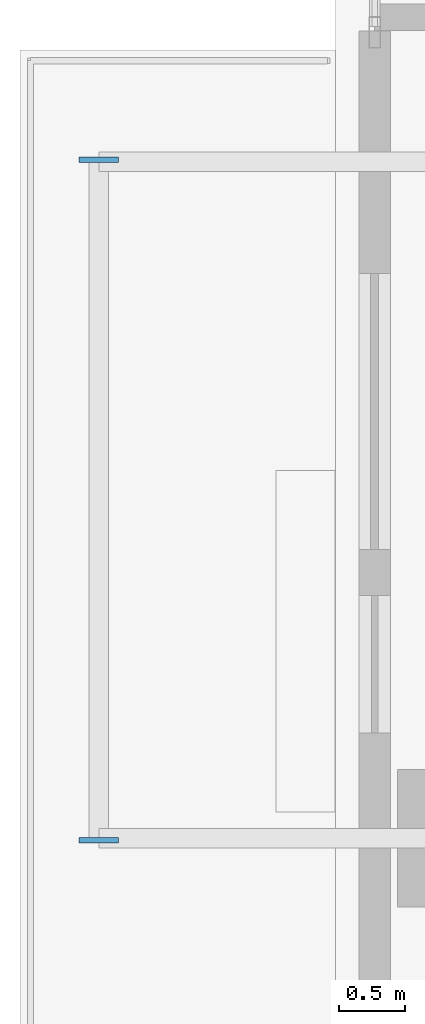
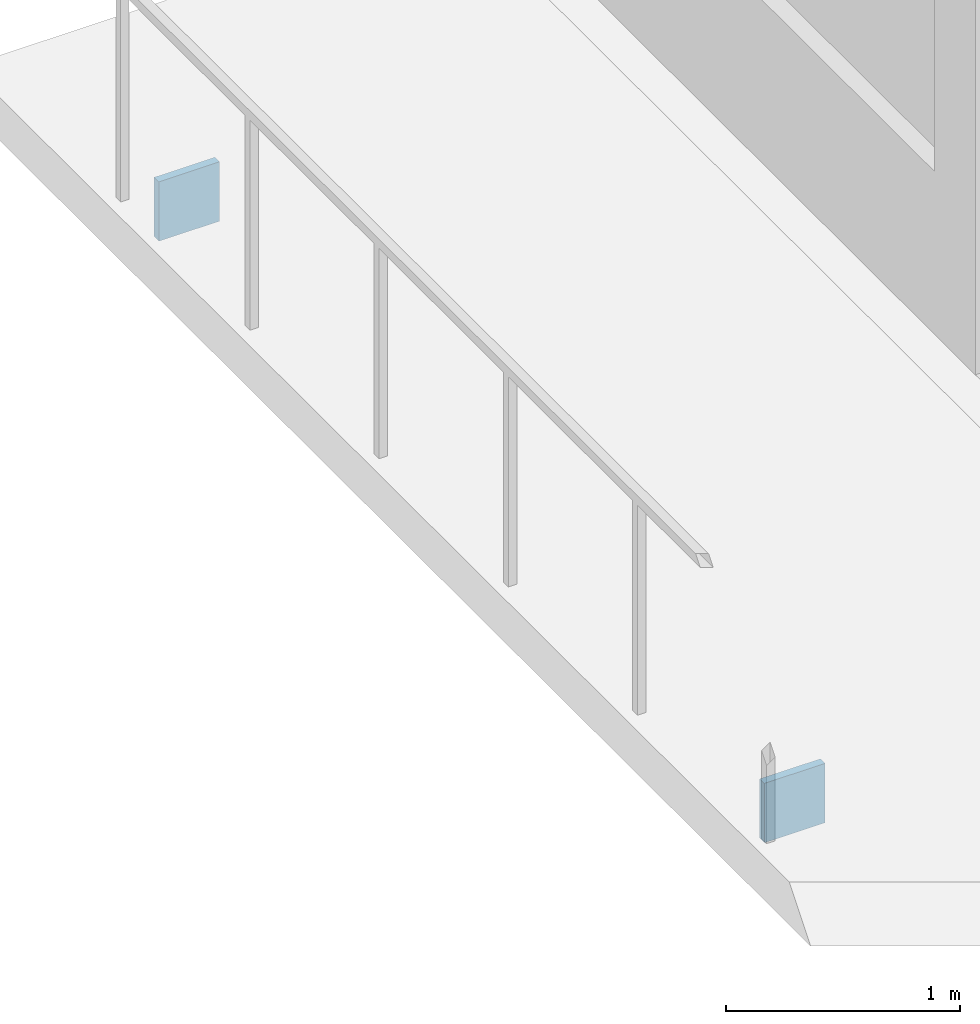
# One storey, part 15 of 22: 2 plates.
"""IFC4 building model written with IfcOpenShell, lengths in metres."""

import ifcopenshell
import ifcopenshell.guid

model = None  # the IFC model being written
_history = None  # IfcOwnerHistory: only IFC2X3 demands one
_inside = {}  # id of a spatial element -> (the spatial element, [elements in it])
_under = {}  # id of a project, library or spatial element -> (it, [spatial elements below it])
_declared = {}  # id of a project -> (the project, [libraries it declares])
_typed = {}  # id of a type object -> (the type object, [elements of that type])
_made_of = {}  # id of a material, layer set ... -> (it, [elements and type objects made of it])


def new_model(schema):
    """Start an empty IFC model of exactly this schema.

    Asked for "IFC4X3", IfcOpenShell would pick the latest addendum, in which some entities
    have other attributes; the version numbers below select the first issue.
    IFC2X3 requires an IfcOwnerHistory on every rooted entity: one is made here for all.
    """
    global model, _history
    if schema == "IFC4X3":
        model = ifcopenshell.file(schema_version=(4, 3, 0, 0))
    else:
        model = ifcopenshell.file(schema=schema)
    _inside.clear()
    _under.clear()
    _declared.clear()
    _typed.clear()
    _made_of.clear()
    _history = None
    if model.schema == "IFC2X3":
        org = make("IfcOrganization", Name="unknown")
        user = make(
            "IfcPersonAndOrganization",
            ThePerson=make("IfcPerson", FamilyName="unknown"),
            TheOrganization=org,
        )
        app = make(
            "IfcApplication",
            ApplicationDeveloper=org,
            Version="unknown",
            ApplicationFullName="unknown",
            ApplicationIdentifier="unknown",
        )
        _history = make(
            "IfcOwnerHistory",
            OwningUser=user,
            OwningApplication=app,
            ChangeAction="ADDED",
            CreationDate=0,
        )
    return model


def make(cls, **values):
    """One entity of the class cls with the attributes given. An attribute that is None is left unset."""
    return model.create_entity(
        cls, **{name: value for name, value in values.items() if value is not None}
    )


def rooted(cls, **values):
    """An entity with a GlobalId (a new one), such as an element, a storey or a relation."""
    return make(cls, GlobalId=ifcopenshell.guid.new(), OwnerHistory=_history, **values)


def si_unit(unit_type, name, prefix=None):
    """IfcSIUnit, for example si_unit("LENGTHUNIT", "METRE", prefix="MILLI")."""
    return make("IfcSIUnit", UnitType=unit_type, Prefix=prefix, Name=name)


def assignment(units):
    """IfcUnitAssignment: the units of a project."""
    return None if units is None else make("IfcUnitAssignment", Units=units)


def point(xyz):
    """IfcCartesianPoint."""
    return None if xyz is None else make("IfcCartesianPoint", Coordinates=xyz)


def direction(xyz):
    """IfcDirection."""
    return None if xyz is None else make("IfcDirection", DirectionRatios=xyz)


def frame(location, z_axis=None, x_axis=None):
    """IfcAxis2Placement3D, a coordinate frame: its origin and axes. An axis left out is left unset."""
    return make(
        "IfcAxis2Placement3D",
        Location=point(location),
        Axis=direction(z_axis),
        RefDirection=direction(x_axis),
    )


def frame_2d(location, x_axis=None):
    """IfcAxis2Placement2D, a coordinate frame in the plane: its origin and x axis."""
    return make(
        "IfcAxis2Placement2D", Location=point(location), RefDirection=direction(x_axis)
    )


def origin():
    """The frame at (0, 0, 0) with its axes left unset."""
    return frame((0.0, 0.0, 0.0))


def origin_2d():
    """The frame at (0, 0) in the plane with its x axis left unset."""
    return frame_2d((0.0, 0.0))


def place(relative_to, where):
    """IfcLocalPlacement: puts the frame where relative to a parent placement (None: the world)."""
    return make(
        "IfcLocalPlacement", PlacementRelTo=relative_to, RelativePlacement=where
    )


def context(
    kind, dimensions, precision=None, world=None, true_north=None, identifier=None
):
    """IfcGeometricRepresentationContext, for example the 3D "Model" context."""
    return make(
        "IfcGeometricRepresentationContext",
        ContextIdentifier=identifier,
        ContextType=kind,
        CoordinateSpaceDimension=dimensions,
        Precision=precision,
        WorldCoordinateSystem=world,
        TrueNorth=true_north,
    )


def subcontext(parent, identifier, kind, view, scale=None):
    """IfcGeometricRepresentationSubContext, for example "Body" below "Model"."""
    return make(
        "IfcGeometricRepresentationSubContext",
        ContextIdentifier=identifier,
        ContextType=kind,
        ParentContext=parent,
        TargetScale=scale,
        TargetView=view,
    )


def project(units=None, contexts=None):
    """IfcProject with its units and contexts."""
    return rooted(
        "IfcProject",
        Name="project",
        RepresentationContexts=contexts,
        UnitsInContext=assignment(units),
    )


def spatial(cls, under=None, at=None, **own):
    """A site, building, storey or space (cls), placed at a placement, below another one or the project."""
    s = rooted(cls, ObjectPlacement=at, **own)
    if under is not None:
        _under.setdefault(under.id(), (under, []))[1].append(s)
    return s


def profile(cls, at=None, kind="AREA", **sizes):
    """A parametric profile (cls). Its sizes go by their IFC names, for example OverallWidth=200.0."""
    return make(cls, ProfileType=kind, Position=at, **sizes)


def rectangle(**sizes):
    """IfcRectangleProfileDef."""
    return profile("IfcRectangleProfileDef", **sizes)


def extrude(swept, where, along, depth):
    """IfcExtrudedAreaSolid: the profile swept, set in the frame where, extruded along a direction by depth."""
    return make(
        "IfcExtrudedAreaSolid",
        SweptArea=swept,
        Position=where,
        ExtrudedDirection=direction(along),
        Depth=depth,
    )


def shape(context_of_items, identifier, shape_type, items):
    """IfcShapeRepresentation: the items that make up one representation, for example the "Body"."""
    return make(
        "IfcShapeRepresentation",
        ContextOfItems=context_of_items,
        RepresentationIdentifier=identifier,
        RepresentationType=shape_type,
        Items=items,
    )


def material(Name=None, Category=None):
    """IfcMaterial."""
    return make("IfcMaterial", Name=Name, Category=Category)


def layer(
    of_material, thickness, ventilated=None, Name=None, Category=None, Priority=None
):
    """IfcMaterialLayer: one layer of a wall or slab, of a material (None: an air gap)."""
    return make(
        "IfcMaterialLayer",
        Material=of_material,
        LayerThickness=thickness,
        IsVentilated=ventilated,
        Name=Name,
        Category=Category,
        Priority=Priority,
    )


def layer_set(layers, Name=None):
    """IfcMaterialLayerSet."""
    return make("IfcMaterialLayerSet", MaterialLayers=layers, LayerSetName=Name)


def made_of(thing, what):
    """Note that an element or type object is made of a material, layer set ...; save() writes the relation."""
    if what is not None:
        _made_of.setdefault(what.id(), (what, []))[1].append(thing)
    return thing


def type_object(cls, material=None, **own):
    """A type object (cls), such as IfcWallType, which elements share."""
    return made_of(rooted(cls, **own), material)


def element(
    cls,
    number,
    at=None,
    inside=None,
    cuts=None,
    type_object=None,
    material=None,
    context=None,
    identifier="Body",
    shape_type=None,
    held_by="IfcProductDefinitionShape",
    body=None,
    shapes=None,
    **own,
):
    """One element of the class cls, such as IfcWall. Its Tag is "e" and its number.

    at: its placement. inside: the storey or other place that contains it. cuts: it is an
    opening in that element (IfcRelVoidsElement). A single representation is given by context,
    identifier, shape_type and body (its items); several are given by shapes. held_by: the class
    of the entity that holds the representations. save() writes the other relations.
    """
    e = rooted(cls, Tag="e%d" % number, ObjectPlacement=at, **own)
    if body is not None:
        shapes = [shape(context, identifier, shape_type, body)]
    if shapes is not None:
        e.Representation = make(held_by, Representations=shapes)
    if inside is not None:
        _inside.setdefault(inside.id(), (inside, []))[1].append(e)
    if cuts is not None:
        rooted(
            "IfcRelVoidsElement", RelatingBuildingElement=cuts, RelatedOpeningElement=e
        )
    if type_object is not None:
        _typed.setdefault(type_object.id(), (type_object, []))[1].append(e)
    return made_of(e, material)


def aggregate(whole, parts):
    """IfcRelAggregates: a whole, such as a stair, and the parts it consists of."""
    return rooted("IfcRelAggregates", RelatingObject=whole, RelatedObjects=parts)


def save(model, path):
    """Write the relations noted so far, then the file.

    IfcRelAggregates (storeys below a building ...), IfcRelContainedInSpatialStructure (elements
    in a storey), IfcRelDefinesByType, IfcRelAssociatesMaterial and IfcRelDeclares: one each for
    every whole, place, type object, material and project.
    """
    for whole, parts in _under.values():
        aggregate(whole, parts)
    for where, things in _inside.values():
        rooted(
            "IfcRelContainedInSpatialStructure",
            RelatedElements=things,
            RelatingStructure=where,
        )
    for kind, things in _typed.values():
        rooted("IfcRelDefinesByType", RelatedObjects=things, RelatingType=kind)
    for what, things in _made_of.values():
        rooted("IfcRelAssociatesMaterial", RelatedObjects=things, RelatingMaterial=what)
    for by, libraries in _declared.values():
        rooted("IfcRelDeclares", RelatingContext=by, RelatedDefinitions=libraries)
    model.write(path)


model = new_model("IFC4")

# Units and contexts
model_context = context("Model", 3, precision=1e-05, world=origin(), true_north=direction((0.0, 1.0)))
body_context = subcontext(model_context, "Body", "Model", "MODEL_VIEW")
ifc_project = project(units=[si_unit("LENGTHUNIT", "METRE"), si_unit("AREAUNIT", "SQUARE_METRE"), si_unit("VOLUMEUNIT", "CUBIC_METRE"), si_unit("PLANEANGLEUNIT", "RADIAN"), si_unit("MASSUNIT", "GRAM", prefix="KILO"), si_unit("THERMODYNAMICTEMPERATUREUNIT", "KELVIN"), si_unit("POWERUNIT", "WATT")], contexts=[model_context])

# Site, building, storey
site_placement = place(None, origin())
site = spatial("IfcSite", under=ifc_project, at=site_placement, CompositionType="ELEMENT")
building_placement = place(site_placement, origin())
building = spatial("IfcBuilding", under=site, at=building_placement, Name="Svarakhadi Broadcast Tower", CompositionType="ELEMENT")
storey_placement = place(building_placement, frame((0.0, 0.0, 199.199951171875)))
storey = spatial("IfcBuildingStorey", under=building, at=storey_placement, Name="L49", CompositionType="ELEMENT", Elevation=199.199951171875)

# Plates
ifc_material = material(Name="Steel S460ML (IS 2062 E450BR)", Category="steel")
ifc_layer = layer(ifc_material, 0.028076171875)
ifc_layer_set = layer_set([ifc_layer], Name="Steel S460ML (IS 2062 E450BR)")
plate_type = type_object("IfcPlateType", Name="Cap_Plate_CP02", PredefinedType="USERDEFINED", material=ifc_layer_set)
for number, where, z_axis, x_axis, name in (
    (1, (-1.800048828125, 23.985107421875, -0.554931640625), (0.0, 0.0, 1.0), (1.0, 0.0, 0.0), "L49 Balcony Spandrel End Cap Plate 2F-A"),
    (2, (-1.800048828125, 29.1650390625, -0.554931640625), (0.0, 0.0, 1.0), (1.0, 0.0, 0.0), "L49 Balcony Spandrel End Cap Plate 2F-B"),
):
    element("IfcPlate", number, at=place(storey_placement, frame(where, z_axis=z_axis, x_axis=x_axis)), inside=storey, type_object=plate_type, Name=name, ObjectType="FLANGE_PLATE", PredefinedType="USERDEFINED", context=body_context, shape_type="SweptSolid", body=[
        extrude(rectangle(XDim=0.300048828125, YDim=0.0400390625, at=origin_2d()), origin(), (0.0, 0.0, 1.0), 0.31005859375),
    ])

save(model, "model.ifc")
